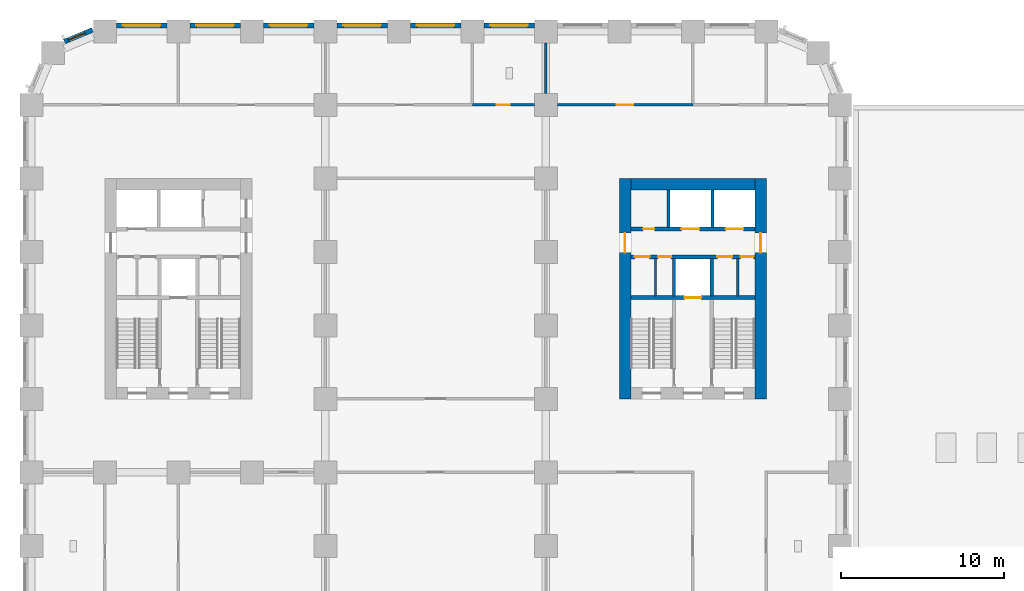
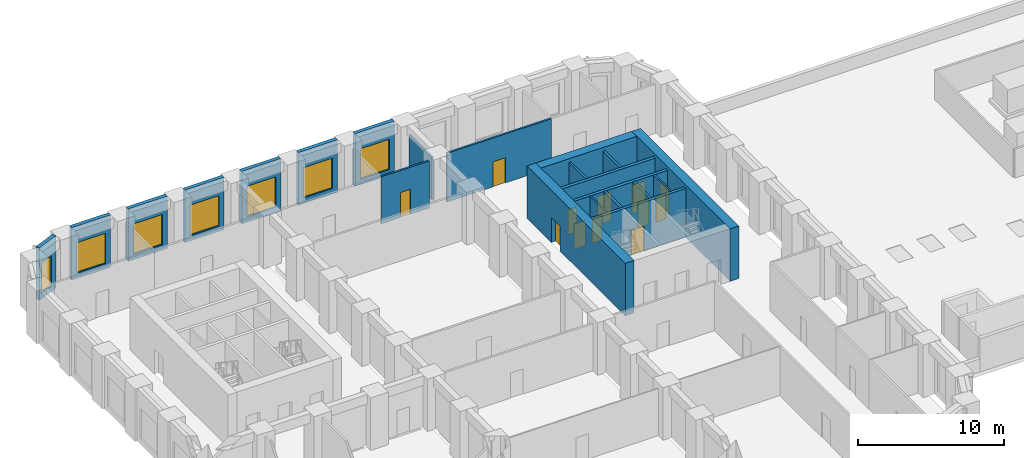
# One storey, part 7 of 14: 22 walls, 12 doors, 7 windows, 19 openings.
"""IFC4 building model written with IfcOpenShell, lengths in metres."""

from ifc_helpers import new_model, si_unit, direction, frame, frame_2d, origin, place, context, subcontext, project, spatial, rectangle, extrude, material, layer, layer_set, type_object, element, fill, save


model = new_model("IFC4")

# Units and contexts
model_context = context("Model", 3, precision=1e-05, world=origin(), true_north=direction((0.0, 1.0)))
body_context = subcontext(model_context, "Body", "Model", "MODEL_VIEW")
ifc_project = project(units=[si_unit("LENGTHUNIT", "METRE"), si_unit("AREAUNIT", "SQUARE_METRE"), si_unit("VOLUMEUNIT", "CUBIC_METRE"), si_unit("PLANEANGLEUNIT", "RADIAN"), si_unit("MASSUNIT", "GRAM", prefix="KILO")], contexts=[model_context])

# Site, building, storey
site_placement = place(None, origin())
site = spatial("IfcSite", under=ifc_project, at=site_placement, CompositionType="ELEMENT")
building_placement = place(site_placement, origin())
building = spatial("IfcBuilding", under=site, at=building_placement, Name="Girih Gate Residences", CompositionType="ELEMENT")
storey_placement = place(building_placement, frame((0.0, 0.0, 26.0)))
storey = spatial("IfcBuildingStorey", under=building, at=storey_placement, Name="L05", CompositionType="ELEMENT", Elevation=26.0)

# Wall, opening, door
ifc_material_1 = material(Name="Gypsum board on steel studs", Category="steel")
ifc_layer_1 = layer(ifc_material_1, 0.14990234375)
ifc_layer_set_1 = layer_set([ifc_layer_1], Name="Compartment wall 150 mm")
wall_type_1 = type_object("IfcWallType", Name="Compartment wall 150 mm", PredefinedType="PARTITIONING", material=ifc_layer_set_1)
wall_1_placement = place(storey_placement, frame((27.0, 45.0, 0.0), z_axis=(0.0, 0.0, 1.0), x_axis=(1.0, 0.0, 0.0)))
wall_1 = element("IfcWall", 1, at=wall_1_placement, inside=storey, type_object=wall_type_1, Name="L05 partition", PredefinedType="PARTITIONING", context=body_context, shape_type="SweptSolid", body=[
    extrude(rectangle(XDim=3.800048828125, YDim=0.14990234375, at=frame_2d((1.89990234375, 0.0))), origin(), (0.0, 0.0, 1.0), 3.949951171875),
])
opening_1_placement = place(wall_1_placement, frame((1.5, 0.0, 0.0)))
opening_1 = element("IfcOpeningElement", 2, at=opening_1_placement, cuts=wall_1, Name="Opening D-L05-S-004", PredefinedType="OPENING", context=body_context, shape_type="SweptSolid", body=[
    extrude(rectangle(XDim=0.800048828125, YDim=2.10009765625, at=frame_2d((0.39990234375, 1.050048828125))), frame((0.0, 0.0849609375, 0.0), z_axis=(0.0, -1.0, 0.0), x_axis=(1.0, 0.0, 0.0)), (0.0, 0.0, 1.0), 0.169921875),
])
ifc_material_2 = material(Name="Timber", Category="wood")
door_type_1 = type_object("IfcDoorType", Name="WC and store door 800x2100", OperationType="SINGLE_SWING_LEFT", PredefinedType="DOOR", material=ifc_material_2)
door_1_placement = place(opening_1_placement, origin())
door_1 = element("IfcDoor", 3, at=door_1_placement, inside=storey, type_object=door_type_1, Name="Door L05-004", OperationType="SINGLE_SWING_RIGHT", OverallHeight=2.10009765625, OverallWidth=0.800048828125, PredefinedType="DOOR", context=body_context, shape_type="SweptSolid", body=[
    extrude(rectangle(XDim=0.800048828125, YDim=2.10009765625, at=frame_2d((0.39990234375, 1.050048828125))), frame((0.0, 0.02490234375, 0.0), z_axis=(0.0, -1.0, 0.0), x_axis=(1.0, 0.0, 0.0)), (0.0, 0.0, 1.0), 0.050048828125),
])
fill(opening_1, door_1)

# Wall
wall_2_placement = place(storey_placement, frame((31.5, 45.699951171875, 0.0), z_axis=(0.0, 0.0, 1.0), x_axis=(0.0, 1.0, 0.0)))
element("IfcWall", 4, at=wall_2_placement, inside=storey, type_object=wall_type_1, Name="L05 partition", PredefinedType="PARTITIONING", context=body_context, shape_type="SweptSolid", body=[
    extrude(rectangle(XDim=3.10009765625, YDim=0.14990234375, at=frame_2d((1.550048828125, 0.0))), origin(), (0.0, 0.0, 1.0), 3.580078125),
])

# Wall, opening, door
wall_3_placement = place(storey_placement, frame((32.199951171875, 45.0, 0.0), z_axis=(0.0, 0.0, 1.0), x_axis=(1.0, 0.0, 0.0)))
wall_3 = element("IfcWall", 5, at=wall_3_placement, inside=storey, type_object=wall_type_1, Name="L05 partition", PredefinedType="PARTITIONING", context=body_context, shape_type="SweptSolid", body=[
    extrude(rectangle(XDim=8.300048828125, YDim=0.14990234375, at=frame_2d((4.14990234375, 0.0))), origin(), (0.0, 0.0, 1.0), 4.10009765625),
])
opening_2_placement = place(wall_3_placement, frame((3.64990234375, 0.0, 0.0)))
opening_2 = element("IfcOpeningElement", 6, at=opening_2_placement, cuts=wall_3, Name="Opening D-L05-S-009", PredefinedType="OPENING", context=body_context, shape_type="SweptSolid", body=[
    extrude(rectangle(XDim=1.0, YDim=2.10009765625, at=frame_2d((0.5, 1.050048828125))), frame((0.0, 0.0849609375, 0.0), z_axis=(0.0, -1.0, 0.0), x_axis=(1.0, 0.0, 0.0)), (0.0, 0.0, 1.0), 0.169921875),
])
ifc_material_3 = material(Name="Timber, fire-rated core", Category="wood")
door_type_2 = type_object("IfcDoorType", Name="Amenity door 1000x2100 FD30S", OperationType="SINGLE_SWING_LEFT", PredefinedType="DOOR", material=ifc_material_3)
door_2_placement = place(opening_2_placement, origin())
door_2 = element("IfcDoor", 7, at=door_2_placement, inside=storey, type_object=door_type_2, Name="Door L05-009", OperationType="SINGLE_SWING_RIGHT", OverallHeight=2.10009765625, OverallWidth=1.0, PredefinedType="DOOR", context=body_context, shape_type="SweptSolid", body=[
    extrude(rectangle(XDim=1.0, YDim=2.10009765625, at=frame_2d((0.5, 1.050048828125))), frame((0.0, 0.02490234375, 0.0), z_axis=(0.0, -1.0, 0.0), x_axis=(1.0, 0.0, 0.0)), (0.0, 0.0, 1.0), 0.050048828125),
])
fill(opening_2, door_2)

# Wall
ifc_material_4 = material(Name="Concrete C60/75", Category="concrete")
ifc_layer_2 = layer(ifc_material_4, 0.699951171875)
ifc_layer_set_2 = layer_set([ifc_layer_2], Name="Core wall RC 700 Concrete C60/75")
wall_type_2 = type_object("IfcWallType", Name="Core wall RC 700 Concrete C60/75", PredefinedType="SOLIDWALL", material=ifc_layer_set_2)
wall_4_placement = place(storey_placement, frame((36.699951171875, 40.14990234375, 0.0), z_axis=(0.0, 0.0, 1.0), x_axis=(1.0, 0.0, 0.0)))
element("IfcWall", 8, at=wall_4_placement, inside=storey, type_object=wall_type_2, Name="Core wall E-N L05", PredefinedType="SOLIDWALL", context=body_context, shape_type="SweptSolid", body=[
    extrude(rectangle(XDim=7.60009765625, YDim=0.699951171875, at=frame_2d((3.800048828125, 0.0))), origin(), (0.0, 0.0, 1.0), 4.39990234375),
])

# Wall, opening, door
wall_5_placement = place(storey_placement, frame((36.35009765625, 27.0, 0.0), z_axis=(0.0, 0.0, 1.0), x_axis=(0.0, 1.0, 0.0)))
wall_5 = element("IfcWall", 9, at=wall_5_placement, inside=storey, type_object=wall_type_2, Name="Core wall E-W L05", PredefinedType="SOLIDWALL", context=body_context, shape_type="SweptSolid", body=[
    extrude(rectangle(XDim=13.5, YDim=0.699951171875, at=frame_2d((6.75, 0.0))), origin(), (0.0, 0.0, 1.0), 4.39990234375),
])
opening_3_placement = place(wall_5_placement, frame((8.949951171875, 0.0, 0.0)))
opening_3 = element("IfcOpeningElement", 10, at=opening_3_placement, cuts=wall_5, Name="Opening D-L05-E-014", PredefinedType="OPENING", context=body_context, shape_type="SweptSolid", body=[
    extrude(rectangle(XDim=1.199951171875, YDim=2.10009765625, at=frame_2d((0.60009765625, 1.050048828125))), frame((0.0, 0.35986328125, 0.0), z_axis=(0.0, -1.0, 0.0), x_axis=(1.0, 0.0, 0.0)), (0.0, 0.0, 1.0), 0.719970703125),
])
ifc_material_5 = material(Name="Painted steel, fire-resisting", Category="steel")
door_type_3 = type_object("IfcDoorType", Name="Fire door 1200x2100", OperationType="SINGLE_SWING_LEFT", PredefinedType="DOOR", material=ifc_material_5)
door_3_placement = place(opening_3_placement, origin())
door_3 = element("IfcDoor", 11, at=door_3_placement, inside=storey, type_object=door_type_3, Name="L05 E core door ll-w", OperationType="SINGLE_SWING_LEFT", OverallHeight=2.10009765625, OverallWidth=1.199951171875, PredefinedType="DOOR", context=body_context, shape_type="SweptSolid", body=[
    extrude(rectangle(XDim=1.199951171875, YDim=2.10009765625, at=frame_2d((0.60009765625, 1.050048828125))), frame((0.0, 0.02490234375, 0.0), z_axis=(0.0, -1.0, 0.0), x_axis=(1.0, 0.0, 0.0)), (0.0, 0.0, 1.0), 0.050048828125),
])
fill(opening_3, door_3)

wall_6_placement = place(storey_placement, frame((44.64990234375, 27.0, 0.0), z_axis=(0.0, 0.0, 1.0), x_axis=(0.0, 1.0, 0.0)))
wall_6 = element("IfcWall", 12, at=wall_6_placement, inside=storey, type_object=wall_type_2, Name="Core wall E-E L05", PredefinedType="SOLIDWALL", context=body_context, shape_type="SweptSolid", body=[
    extrude(rectangle(XDim=13.5, YDim=0.699951171875, at=frame_2d((6.75, 0.0))), origin(), (0.0, 0.0, 1.0), 4.39990234375),
])
opening_4_placement = place(wall_6_placement, frame((8.949951171875, 0.0, 0.0)))
opening_4 = element("IfcOpeningElement", 13, at=opening_4_placement, cuts=wall_6, Name="Opening D-L05-E-015", PredefinedType="OPENING", context=body_context, shape_type="SweptSolid", body=[
    extrude(rectangle(XDim=1.199951171875, YDim=2.10009765625, at=frame_2d((0.60009765625, 1.050048828125))), frame((0.0, 0.35986328125, 0.0), z_axis=(0.0, -1.0, 0.0), x_axis=(1.0, 0.0, 0.0)), (0.0, 0.0, 1.0), 0.719970703125),
])
door_4_placement = place(opening_4_placement, origin())
door_4 = element("IfcDoor", 14, at=door_4_placement, inside=storey, type_object=door_type_3, Name="L05 E core door ll-e", OperationType="SINGLE_SWING_LEFT", OverallHeight=2.10009765625, OverallWidth=1.199951171875, PredefinedType="DOOR", context=body_context, shape_type="SweptSolid", body=[
    extrude(rectangle(XDim=1.199951171875, YDim=2.10009765625, at=frame_2d((0.60009765625, 1.050048828125))), frame((0.0, 0.02490234375, 0.0), z_axis=(0.0, -1.0, 0.0), x_axis=(1.0, 0.0, 0.0)), (0.0, 0.0, 1.0), 0.050048828125),
])
fill(opening_4, door_4)

ifc_material_6 = material(Name="Concrete C40/50", Category="concrete")
ifc_layer_3 = layer(ifc_material_6, 0.25)
ifc_layer_set_3 = layer_set([ifc_layer_3], Name="Lift shaft wall 250")
wall_type_3 = type_object("IfcWallType", Name="Lift shaft wall 250", PredefinedType="SOLIDWALL", material=ifc_layer_set_3)
wall_7_placement = place(storey_placement, frame((36.699951171875, 33.199951171875, 0.0), z_axis=(0.0, 0.0, 1.0), x_axis=(1.0, 0.0, 0.0)))
wall_7 = element("IfcWall", 15, at=wall_7_placement, inside=storey, type_object=wall_type_3, Name="L05 E core wall H1", PredefinedType="SOLIDWALL", context=body_context, shape_type="SweptSolid", body=[
    extrude(rectangle(XDim=7.60009765625, YDim=0.25, at=frame_2d((3.800048828125, 0.0))), origin(), (0.0, 0.0, 1.0), 4.10009765625),
])
opening_5_placement = place(wall_7_placement, frame((3.300048828125, 0.0, 0.0)))
opening_5 = element("IfcOpeningElement", 16, at=opening_5_placement, cuts=wall_7, Name="Opening D-L05-E-005", PredefinedType="OPENING", context=body_context, shape_type="SweptSolid", body=[
    extrude(rectangle(XDim=1.0, YDim=2.10009765625, at=frame_2d((0.5, 1.050048828125))), frame((0.0, 0.135009765625, 0.0), z_axis=(0.0, -1.0, 0.0), x_axis=(1.0, 0.0, 0.0)), (0.0, 0.0, 1.0), 0.27001953125),
])
ifc_material_7 = material(Name="Stainless steel, fire-resisting", Category="steel")
door_type_4 = type_object("IfcDoorType", Name="Firefighting lift landing door 1000x2100", OperationType="SLIDING_TO_LEFT", PredefinedType="DOOR", material=ifc_material_7)
door_5_placement = place(opening_5_placement, origin())
door_5 = element("IfcDoor", 17, at=door_5_placement, inside=storey, type_object=door_type_4, Name="L05 lift FF-E landing door", OperationType="SLIDING_TO_LEFT", OverallHeight=2.10009765625, OverallWidth=1.0, PredefinedType="DOOR", context=body_context, shape_type="SweptSolid", body=[
    extrude(rectangle(XDim=1.0, YDim=2.10009765625, at=frame_2d((0.5, 1.050048828125))), frame((0.0, 0.02490234375, 0.0), z_axis=(0.0, -1.0, 0.0), x_axis=(1.0, 0.0, 0.0)), (0.0, 0.0, 1.0), 0.050048828125),
])
fill(opening_5, door_5)

# Wall, openings, doors
wall_8_placement = place(storey_placement, frame((36.699951171875, 35.699951171875, 0.0), z_axis=(0.0, 0.0, 1.0), x_axis=(1.0, 0.0, 0.0)))
wall_8 = element("IfcWall", 18, at=wall_8_placement, inside=storey, type_object=wall_type_3, Name="L05 E core wall H2", PredefinedType="SOLIDWALL", context=body_context, shape_type="SweptSolid", body=[
    extrude(rectangle(XDim=7.60009765625, YDim=0.25, at=frame_2d((3.800048828125, 0.0))), origin(), (0.0, 0.0, 1.0), 4.10009765625),
])
opening_6_placement = place(wall_8_placement, frame((6.72509765625, 0.0, 0.0)))
opening_6 = element("IfcOpeningElement", 19, at=opening_6_placement, cuts=wall_8, Name="Opening D-L05-E-007", PredefinedType="OPENING", context=body_context, shape_type="SweptSolid", body=[
    extrude(rectangle(XDim=0.800048828125, YDim=2.10009765625, at=frame_2d((0.39990234375, 1.050048828125))), frame((0.0, 0.135009765625, 0.0), z_axis=(0.0, -1.0, 0.0), x_axis=(1.0, 0.0, 0.0)), (0.0, 0.0, 1.0), 0.27001953125),
])
opening_7_placement = place(wall_8_placement, frame((5.300048828125, 0.0, 0.0)))
opening_7 = element("IfcOpeningElement", 20, at=opening_7_placement, cuts=wall_8, Name="Opening D-L05-E-008", PredefinedType="OPENING", context=body_context, shape_type="SweptSolid", body=[
    extrude(rectangle(XDim=0.89990234375, YDim=2.10009765625, at=frame_2d((0.449951171875, 1.050048828125))), frame((0.0, 0.135009765625, 0.0), z_axis=(0.0, -1.0, 0.0), x_axis=(1.0, 0.0, 0.0)), (0.0, 0.0, 1.0), 0.27001953125),
])
opening_8_placement = place(wall_8_placement, frame((1.675048828125, 0.0, 0.0)))
opening_8 = element("IfcOpeningElement", 21, at=opening_8_placement, cuts=wall_8, Name="Opening D-L05-E-009", PredefinedType="OPENING", context=body_context, shape_type="SweptSolid", body=[
    extrude(rectangle(XDim=0.800048828125, YDim=2.10009765625, at=frame_2d((0.39990234375, 1.050048828125))), frame((0.0, 0.135009765625, 0.0), z_axis=(0.0, -1.0, 0.0), x_axis=(1.0, 0.0, 0.0)), (0.0, 0.0, 1.0), 0.27001953125),
])
opening_9_placement = place(wall_8_placement, frame((0.25, 0.0, 0.0)))
opening_9 = element("IfcOpeningElement", 22, at=opening_9_placement, cuts=wall_8, Name="Opening D-L05-E-010", PredefinedType="OPENING", context=body_context, shape_type="SweptSolid", body=[
    extrude(rectangle(XDim=0.89990234375, YDim=2.10009765625, at=frame_2d((0.449951171875, 1.050048828125))), frame((0.0, 0.135009765625, 0.0), z_axis=(0.0, -1.0, 0.0), x_axis=(1.0, 0.0, 0.0)), (0.0, 0.0, 1.0), 0.27001953125),
])
door_type_5 = type_object("IfcDoorType", Name="Fire door 800x2100", OperationType="SINGLE_SWING_LEFT", PredefinedType="DOOR", material=ifc_material_5)
door_6_placement = place(opening_6_placement, origin())
door_6 = element("IfcDoor", 23, at=door_6_placement, inside=storey, type_object=door_type_5, Name="L05 E electrical room door", OperationType="SINGLE_SWING_LEFT", OverallHeight=2.10009765625, OverallWidth=0.800048828125, PredefinedType="DOOR", context=body_context, shape_type="SweptSolid", body=[
    extrude(rectangle(XDim=0.800048828125, YDim=2.10009765625, at=frame_2d((0.39990234375, 1.050048828125))), frame((0.0, 0.02490234375, 0.0), z_axis=(0.0, -1.0, 0.0), x_axis=(1.0, 0.0, 0.0)), (0.0, 0.0, 1.0), 0.050048828125),
])
fill(opening_6, door_6)
door_7_placement = place(opening_8_placement, origin())
door_7 = element("IfcDoor", 24, at=door_7_placement, inside=storey, type_object=door_type_5, Name="L05 E store door", OperationType="SINGLE_SWING_LEFT", OverallHeight=2.10009765625, OverallWidth=0.800048828125, PredefinedType="DOOR", context=body_context, shape_type="SweptSolid", body=[
    extrude(rectangle(XDim=0.800048828125, YDim=2.10009765625, at=frame_2d((0.39990234375, 1.050048828125))), frame((0.0, 0.02490234375, 0.0), z_axis=(0.0, -1.0, 0.0), x_axis=(1.0, 0.0, 0.0)), (0.0, 0.0, 1.0), 0.050048828125),
])
fill(opening_8, door_7)
door_type_6 = type_object("IfcDoorType", Name="Fire door 900x2100", OperationType="SINGLE_SWING_LEFT", PredefinedType="DOOR", material=ifc_material_5)
door_8_placement = place(opening_7_placement, origin())
door_8 = element("IfcDoor", 25, at=door_8_placement, inside=storey, type_object=door_type_6, Name="L05 E pantry door", OperationType="SINGLE_SWING_LEFT", OverallHeight=2.10009765625, OverallWidth=0.89990234375, PredefinedType="DOOR", context=body_context, shape_type="SweptSolid", body=[
    extrude(rectangle(XDim=0.89990234375, YDim=2.10009765625, at=frame_2d((0.449951171875, 1.050048828125))), frame((0.0, 0.02490234375, 0.0), z_axis=(0.0, -1.0, 0.0), x_axis=(1.0, 0.0, 0.0)), (0.0, 0.0, 1.0), 0.050048828125),
])
fill(opening_7, door_8)
door_9_placement = place(opening_9_placement, origin())
door_9 = element("IfcDoor", 26, at=door_9_placement, inside=storey, type_object=door_type_6, Name="L05 E comms room door", OperationType="SINGLE_SWING_LEFT", OverallHeight=2.10009765625, OverallWidth=0.89990234375, PredefinedType="DOOR", context=body_context, shape_type="SweptSolid", body=[
    extrude(rectangle(XDim=0.89990234375, YDim=2.10009765625, at=frame_2d((0.449951171875, 1.050048828125))), frame((0.0, 0.02490234375, 0.0), z_axis=(0.0, -1.0, 0.0), x_axis=(1.0, 0.0, 0.0)), (0.0, 0.0, 1.0), 0.050048828125),
])
fill(opening_9, door_9)

wall_9_placement = place(storey_placement, frame((36.699951171875, 37.39990234375, 0.0), z_axis=(0.0, 0.0, 1.0), x_axis=(1.0, 0.0, 0.0)))
wall_9 = element("IfcWall", 27, at=wall_9_placement, inside=storey, type_object=wall_type_3, Name="L05 E core wall H3", PredefinedType="SOLIDWALL", context=body_context, shape_type="SweptSolid", body=[
    extrude(rectangle(XDim=7.60009765625, YDim=0.25, at=frame_2d((3.800048828125, 0.0))), origin(), (0.0, 0.0, 1.0), 4.10009765625),
])
opening_10_placement = place(wall_9_placement, frame((5.800048828125, 0.0, 0.0)))
opening_10 = element("IfcOpeningElement", 28, at=opening_10_placement, cuts=wall_9, Name="Opening D-L05-E-003", PredefinedType="OPENING", context=body_context, shape_type="SweptSolid", body=[
    extrude(rectangle(XDim=1.10009765625, YDim=2.39990234375, at=frame_2d((0.550048828125, 1.199951171875))), frame((0.0, 0.135009765625, 0.0), z_axis=(0.0, -1.0, 0.0), x_axis=(1.0, 0.0, 0.0)), (0.0, 0.0, 1.0), 0.27001953125),
])
opening_11_placement = place(wall_9_placement, frame((3.10009765625, 0.0, 0.0)))
opening_11 = element("IfcOpeningElement", 29, at=opening_11_placement, cuts=wall_9, Name="Opening D-L05-E-004", PredefinedType="OPENING", context=body_context, shape_type="SweptSolid", body=[
    extrude(rectangle(XDim=1.10009765625, YDim=2.39990234375, at=frame_2d((0.550048828125, 1.199951171875))), frame((0.0, 0.135009765625, 0.0), z_axis=(0.0, -1.0, 0.0), x_axis=(1.0, 0.0, 0.0)), (0.0, 0.0, 1.0), 0.27001953125),
])
opening_12_placement = place(wall_9_placement, frame((0.75, 0.0, 0.0)))
opening_12 = element("IfcOpeningElement", 30, at=opening_12_placement, cuts=wall_9, Name="Opening D-L05-E-006", PredefinedType="OPENING", context=body_context, shape_type="SweptSolid", body=[
    extrude(rectangle(XDim=0.699951171875, YDim=2.10009765625, at=frame_2d((0.35009765625, 1.050048828125))), frame((0.0, 0.135009765625, 0.0), z_axis=(0.0, -1.0, 0.0), x_axis=(1.0, 0.0, 0.0)), (0.0, 0.0, 1.0), 0.27001953125),
])
ifc_material_8 = material(Name="Stainless steel", Category="steel")
door_type_7 = type_object("IfcDoorType", Name="Lift landing door 1100x2400", OperationType="SLIDING_TO_LEFT", PredefinedType="DOOR", material=ifc_material_8)
door_10_placement = place(opening_10_placement, origin())
door_10 = element("IfcDoor", 31, at=door_10_placement, inside=storey, type_object=door_type_7, Name="L05 lift LR-E1 landing door", OperationType="SLIDING_TO_LEFT", OverallHeight=2.39990234375, OverallWidth=1.10009765625, PredefinedType="DOOR", context=body_context, shape_type="SweptSolid", body=[
    extrude(rectangle(XDim=1.10009765625, YDim=2.39990234375, at=frame_2d((0.550048828125, 1.199951171875))), frame((0.0, 0.02490234375, 0.0), z_axis=(0.0, -1.0, 0.0), x_axis=(1.0, 0.0, 0.0)), (0.0, 0.0, 1.0), 0.050048828125),
])
fill(opening_10, door_10)
door_11_placement = place(opening_11_placement, origin())
door_11 = element("IfcDoor", 32, at=door_11_placement, inside=storey, type_object=door_type_7, Name="L05 lift LR-E2 landing door", OperationType="SLIDING_TO_LEFT", OverallHeight=2.39990234375, OverallWidth=1.10009765625, PredefinedType="DOOR", context=body_context, shape_type="SweptSolid", body=[
    extrude(rectangle(XDim=1.10009765625, YDim=2.39990234375, at=frame_2d((0.550048828125, 1.199951171875))), frame((0.0, 0.02490234375, 0.0), z_axis=(0.0, -1.0, 0.0), x_axis=(1.0, 0.0, 0.0)), (0.0, 0.0, 1.0), 0.050048828125),
])
fill(opening_11, door_11)
door_type_8 = type_object("IfcDoorType", Name="Riser access door 700x2100", OperationType="SINGLE_SWING_LEFT", PredefinedType="DOOR", material=ifc_material_5)
door_12_placement = place(opening_12_placement, origin())
door_12 = element("IfcDoor", 33, at=door_12_placement, inside=storey, type_object=door_type_8, Name="L05 E riser room door", OperationType="SINGLE_SWING_LEFT", OverallHeight=2.10009765625, OverallWidth=0.699951171875, PredefinedType="DOOR", context=body_context, shape_type="SweptSolid", body=[
    extrude(rectangle(XDim=0.699951171875, YDim=2.10009765625, at=frame_2d((0.35009765625, 1.050048828125))), frame((0.0, 0.02490234375, 0.0), z_axis=(0.0, -1.0, 0.0), x_axis=(1.0, 0.0, 0.0)), (0.0, 0.0, 1.0), 0.050048828125),
])
fill(opening_12, door_12)

# Wall, opening, window
ifc_material_9 = material(Name="Precast concrete C50/60", Category="concrete")
ifc_layer_4 = layer(ifc_material_9, 0.080078125, Name="Outer leaf")
ifc_material_10 = material(Name="Rigid PIR insulation")
ifc_layer_5 = layer(ifc_material_10, 0.14990234375, Name="Insulation")
ifc_material_11 = material(Name="Precast concrete C40/50", Category="concrete")
ifc_layer_6 = layer(ifc_material_11, 0.070068359375, Name="Inner leaf")
ifc_layer_set_4 = layer_set([ifc_layer_4, ifc_layer_5, ifc_layer_6], Name="Precast concrete C50/60 external wall 300")
wall_type_4 = type_object("IfcWallType", Name="Precast concrete C50/60 external wall 300", PredefinedType="SOLIDWALL", material=ifc_layer_set_4)
wall_10_placement = place(storey_placement, frame((27.699951171875, 49.875, 0.0), z_axis=(0.0, 0.0, 1.0), x_axis=(1.0, 0.0, 0.0)))
wall_10 = element("IfcWall", 34, at=wall_10_placement, inside=storey, type_object=wall_type_4, Name="External wall N0450_0495.3", PredefinedType="SOLIDWALL", context=body_context, shape_type="SweptSolid", body=[
    extrude(rectangle(XDim=3.10009765625, YDim=0.300048828125, at=frame_2d((1.550048828125, 0.0))), origin(), (0.0, 0.0, 1.0), 4.39990234375),
])
opening_13_placement = place(wall_10_placement, frame((0.39990234375, 0.0, 0.449951171875)))
opening_13 = element("IfcOpeningElement", 35, at=opening_13_placement, cuts=wall_10, Name="Opening W-6", PredefinedType="OPENING", context=body_context, shape_type="SweptSolid", body=[
    extrude(rectangle(XDim=2.300048828125, YDim=2.550048828125, at=frame_2d((1.14990234375, 1.27490234375))), frame((0.0, 0.159912109375, 0.0), z_axis=(0.0, -1.0, 0.0), x_axis=(1.0, 0.0, 0.0)), (0.0, 0.0, 1.0), 0.320068359375),
])
ifc_material_12 = material(Name="Double glazing in aluminium frame", Category="aluminium")
window_type_1 = type_object("IfcWindowType", Name="Window W-6 2300x2550", PartitioningType="SINGLE_PANEL", PredefinedType="WINDOW", material=ifc_material_12)
window_1_placement = place(opening_13_placement, origin())
window_1 = element("IfcWindow", 36, at=window_1_placement, inside=storey, type_object=window_type_1, Name="Window W-6 N0450_0495.3", OverallHeight=2.550048828125, OverallWidth=2.300048828125, PartitioningType="SINGLE_PANEL", PredefinedType="WINDOW", context=body_context, shape_type="SweptSolid", body=[
    extrude(rectangle(XDim=2.300048828125, YDim=2.550048828125, at=frame_2d((1.14990234375, 1.27490234375))), frame((0.0, 0.030029296875, 0.0), z_axis=(0.0, -1.0, 0.0), x_axis=(1.0, 0.0, 0.0)), (0.0, 0.0, 1.0), 0.06005859375),
])
fill(opening_13, window_1)

wall_11_placement = place(storey_placement, frame((23.199951171875, 49.875, 0.0), z_axis=(0.0, 0.0, 1.0), x_axis=(1.0, 0.0, 0.0)))
wall_11 = element("IfcWall", 37, at=wall_11_placement, inside=storey, type_object=wall_type_4, Name="External wall N0450_0495.4", PredefinedType="SOLIDWALL", context=body_context, shape_type="SweptSolid", body=[
    extrude(rectangle(XDim=3.10009765625, YDim=0.300048828125, at=frame_2d((1.550048828125, 0.0))), origin(), (0.0, 0.0, 1.0), 4.39990234375),
])
opening_14_placement = place(wall_11_placement, frame((0.39990234375, 0.0, 0.449951171875)))
opening_14 = element("IfcOpeningElement", 38, at=opening_14_placement, cuts=wall_11, Name="Opening W-6", PredefinedType="OPENING", context=body_context, shape_type="SweptSolid", body=[
    extrude(rectangle(XDim=2.300048828125, YDim=2.550048828125, at=frame_2d((1.14990234375, 1.27490234375))), frame((0.0, 0.159912109375, 0.0), z_axis=(0.0, -1.0, 0.0), x_axis=(1.0, 0.0, 0.0)), (0.0, 0.0, 1.0), 0.320068359375),
])
window_2_placement = place(opening_14_placement, origin())
window_2 = element("IfcWindow", 39, at=window_2_placement, inside=storey, type_object=window_type_1, Name="Window W-6 N0450_0495.4", OverallHeight=2.550048828125, OverallWidth=2.300048828125, PartitioningType="SINGLE_PANEL", PredefinedType="WINDOW", context=body_context, shape_type="SweptSolid", body=[
    extrude(rectangle(XDim=2.300048828125, YDim=2.550048828125, at=frame_2d((1.14990234375, 1.27490234375))), frame((0.0, 0.030029296875, 0.0), z_axis=(0.0, -1.0, 0.0), x_axis=(1.0, 0.0, 0.0)), (0.0, 0.0, 1.0), 0.06005859375),
])
fill(opening_14, window_2)

wall_12_placement = place(storey_placement, frame((18.699951171875, 49.875, 0.0), z_axis=(0.0, 0.0, 1.0), x_axis=(1.0, 0.0, 0.0)))
wall_12 = element("IfcWall", 40, at=wall_12_placement, inside=storey, type_object=wall_type_4, Name="External wall N0450_0495.5", PredefinedType="SOLIDWALL", context=body_context, shape_type="SweptSolid", body=[
    extrude(rectangle(XDim=3.10009765625, YDim=0.300048828125, at=frame_2d((1.550048828125, 0.0))), origin(), (0.0, 0.0, 1.0), 4.39990234375),
])
opening_15_placement = place(wall_12_placement, frame((0.39990234375, 0.0, 0.449951171875)))
opening_15 = element("IfcOpeningElement", 41, at=opening_15_placement, cuts=wall_12, Name="Opening W-6", PredefinedType="OPENING", context=body_context, shape_type="SweptSolid", body=[
    extrude(rectangle(XDim=2.300048828125, YDim=2.550048828125, at=frame_2d((1.14990234375, 1.27490234375))), frame((0.0, 0.159912109375, 0.0), z_axis=(0.0, -1.0, 0.0), x_axis=(1.0, 0.0, 0.0)), (0.0, 0.0, 1.0), 0.320068359375),
])
window_3_placement = place(opening_15_placement, origin())
window_3 = element("IfcWindow", 42, at=window_3_placement, inside=storey, type_object=window_type_1, Name="Window W-6 N0450_0495.5", OverallHeight=2.550048828125, OverallWidth=2.300048828125, PartitioningType="SINGLE_PANEL", PredefinedType="WINDOW", context=body_context, shape_type="SweptSolid", body=[
    extrude(rectangle(XDim=2.300048828125, YDim=2.550048828125, at=frame_2d((1.14990234375, 1.27490234375))), frame((0.0, 0.030029296875, 0.0), z_axis=(0.0, -1.0, 0.0), x_axis=(1.0, 0.0, 0.0)), (0.0, 0.0, 1.0), 0.06005859375),
])
fill(opening_15, window_3)

wall_13_placement = place(storey_placement, frame((14.199951171875, 49.875, 0.0), z_axis=(0.0, 0.0, 1.0), x_axis=(1.0, 0.0, 0.0)))
wall_13 = element("IfcWall", 43, at=wall_13_placement, inside=storey, type_object=wall_type_4, Name="External wall N0450_0495.6", PredefinedType="SOLIDWALL", context=body_context, shape_type="SweptSolid", body=[
    extrude(rectangle(XDim=3.10009765625, YDim=0.300048828125, at=frame_2d((1.550048828125, 0.0))), origin(), (0.0, 0.0, 1.0), 4.39990234375),
])
opening_16_placement = place(wall_13_placement, frame((0.39990234375, 0.0, 0.449951171875)))
opening_16 = element("IfcOpeningElement", 44, at=opening_16_placement, cuts=wall_13, Name="Opening W-6", PredefinedType="OPENING", context=body_context, shape_type="SweptSolid", body=[
    extrude(rectangle(XDim=2.300048828125, YDim=2.550048828125, at=frame_2d((1.14990234375, 1.27490234375))), frame((0.0, 0.159912109375, 0.0), z_axis=(0.0, -1.0, 0.0), x_axis=(1.0, 0.0, 0.0)), (0.0, 0.0, 1.0), 0.320068359375),
])
window_4_placement = place(opening_16_placement, origin())
window_4 = element("IfcWindow", 45, at=window_4_placement, inside=storey, type_object=window_type_1, Name="Window W-6 N0450_0495.6", OverallHeight=2.550048828125, OverallWidth=2.300048828125, PartitioningType="SINGLE_PANEL", PredefinedType="WINDOW", context=body_context, shape_type="SweptSolid", body=[
    extrude(rectangle(XDim=2.300048828125, YDim=2.550048828125, at=frame_2d((1.14990234375, 1.27490234375))), frame((0.0, 0.030029296875, 0.0), z_axis=(0.0, -1.0, 0.0), x_axis=(1.0, 0.0, 0.0)), (0.0, 0.0, 1.0), 0.06005859375),
])
fill(opening_16, window_4)

wall_14_placement = place(storey_placement, frame((9.699951171875, 49.875, 0.0), z_axis=(0.0, 0.0, 1.0), x_axis=(1.0, 0.0, 0.0)))
wall_14 = element("IfcWall", 46, at=wall_14_placement, inside=storey, type_object=wall_type_4, Name="External wall N0450_0495.7", PredefinedType="SOLIDWALL", context=body_context, shape_type="SweptSolid", body=[
    extrude(rectangle(XDim=3.10009765625, YDim=0.300048828125, at=frame_2d((1.550048828125, 0.0))), origin(), (0.0, 0.0, 1.0), 4.39990234375),
])
opening_17_placement = place(wall_14_placement, frame((0.39990234375, 0.0, 0.449951171875)))
opening_17 = element("IfcOpeningElement", 47, at=opening_17_placement, cuts=wall_14, Name="Opening W-6", PredefinedType="OPENING", context=body_context, shape_type="SweptSolid", body=[
    extrude(rectangle(XDim=2.300048828125, YDim=2.550048828125, at=frame_2d((1.14990234375, 1.27490234375))), frame((0.0, 0.159912109375, 0.0), z_axis=(0.0, -1.0, 0.0), x_axis=(1.0, 0.0, 0.0)), (0.0, 0.0, 1.0), 0.320068359375),
])
window_5_placement = place(opening_17_placement, origin())
window_5 = element("IfcWindow", 48, at=window_5_placement, inside=storey, type_object=window_type_1, Name="Window W-6 N0450_0495.7", OverallHeight=2.550048828125, OverallWidth=2.300048828125, PartitioningType="SINGLE_PANEL", PredefinedType="WINDOW", context=body_context, shape_type="SweptSolid", body=[
    extrude(rectangle(XDim=2.300048828125, YDim=2.550048828125, at=frame_2d((1.14990234375, 1.27490234375))), frame((0.0, 0.030029296875, 0.0), z_axis=(0.0, -1.0, 0.0), x_axis=(1.0, 0.0, 0.0)), (0.0, 0.0, 1.0), 0.06005859375),
])
fill(opening_17, window_5)

wall_15_placement = place(storey_placement, frame((5.199951171875, 49.875, 0.0), z_axis=(0.0, 0.0, 1.0), x_axis=(1.0, 0.0, 0.0)))
wall_15 = element("IfcWall", 49, at=wall_15_placement, inside=storey, type_object=wall_type_4, Name="External wall N0450_0495.8", PredefinedType="SOLIDWALL", context=body_context, shape_type="SweptSolid", body=[
    extrude(rectangle(XDim=3.10009765625, YDim=0.300048828125, at=frame_2d((1.550048828125, 0.0))), origin(), (0.0, 0.0, 1.0), 4.39990234375),
])
opening_18_placement = place(wall_15_placement, frame((0.39990234375, 0.0, 0.449951171875)))
opening_18 = element("IfcOpeningElement", 50, at=opening_18_placement, cuts=wall_15, Name="Opening W-6", PredefinedType="OPENING", context=body_context, shape_type="SweptSolid", body=[
    extrude(rectangle(XDim=2.300048828125, YDim=2.550048828125, at=frame_2d((1.14990234375, 1.27490234375))), frame((0.0, 0.159912109375, 0.0), z_axis=(0.0, -1.0, 0.0), x_axis=(1.0, 0.0, 0.0)), (0.0, 0.0, 1.0), 0.320068359375),
])
window_6_placement = place(opening_18_placement, origin())
window_6 = element("IfcWindow", 51, at=window_6_placement, inside=storey, type_object=window_type_1, Name="Window W-6 N0450_0495.8", OverallHeight=2.550048828125, OverallWidth=2.300048828125, PartitioningType="SINGLE_PANEL", PredefinedType="WINDOW", context=body_context, shape_type="SweptSolid", body=[
    extrude(rectangle(XDim=2.300048828125, YDim=2.550048828125, at=frame_2d((1.14990234375, 1.27490234375))), frame((0.0, 0.030029296875, 0.0), z_axis=(0.0, -1.0, 0.0), x_axis=(1.0, 0.0, 0.0)), (0.0, 0.0, 1.0), 0.06005859375),
])
fill(opening_18, window_6)

wall_16_placement = place(storey_placement, frame((2.01953125, 48.87841796875, 0.0), z_axis=(0.0, 0.0, 1.0), x_axis=(0.923903565336, 0.38262540684, 0.0)))
wall_16 = element("IfcWall", 52, at=wall_16_placement, inside=storey, type_object=wall_type_4, Name="External wall NW0045_0495.0", PredefinedType="SOLIDWALL", context=body_context, shape_type="SweptSolid", body=[
    extrude(rectangle(XDim=1.864990234375, YDim=0.300048828125, at=frame_2d((0.9326171875, 0.0))), origin(), (0.0, 0.0, 1.0), 4.39990234375),
])
opening_19_placement = place(wall_16_placement, frame((0.257568359375, 0.0, 0.449951171875)))
opening_19 = element("IfcOpeningElement", 53, at=opening_19_placement, cuts=wall_16, Name="Opening W-2B", PredefinedType="OPENING", context=body_context, shape_type="SweptSolid", body=[
    extrude(rectangle(XDim=1.10009765625, YDim=2.550048828125, at=frame_2d((0.550048828125, 1.27490234375))), frame((0.0, 0.159912109375, 0.0), z_axis=(0.0, -1.0, 0.0), x_axis=(1.0, 0.0, 0.0)), (0.0, 0.0, 1.0), 0.320068359375),
])
window_type_2 = type_object("IfcWindowType", Name="Window W-2B 1100x2550", PartitioningType="SINGLE_PANEL", PredefinedType="WINDOW", material=ifc_material_12)
window_7_placement = place(opening_19_placement, origin())
window_7 = element("IfcWindow", 54, at=window_7_placement, inside=storey, type_object=window_type_2, Name="Window W-2B NW0045_0495.0", OverallHeight=2.550048828125, OverallWidth=1.10009765625, PartitioningType="SINGLE_PANEL", PredefinedType="WINDOW", context=body_context, shape_type="SweptSolid", body=[
    extrude(rectangle(XDim=1.10009765625, YDim=2.550048828125, at=frame_2d((0.550048828125, 1.27490234375))), frame((0.0, 0.030029296875, 0.0), z_axis=(0.0, -1.0, 0.0), x_axis=(1.0, 0.0, 0.0)), (0.0, 0.0, 1.0), 0.06005859375),
])
fill(opening_19, window_7)

# Walls
ifc_layer_7 = layer(ifc_material_6, 0.175048828125)
ifc_layer_set_5 = layer_set([ifc_layer_7], Name="Riser shaft wall 175")
wall_type_5 = type_object("IfcWallType", Name="Riser shaft wall 175", PredefinedType="SOLIDWALL", material=ifc_layer_set_5)
for number, where, z_axis, x_axis, name in (
    (55, (41.699951171875, 37.5, 0.0), (0.0, 0.0, 1.0), (0.0, 1.0, 0.0), "L05 E core wall V1c"),
    (56, (39.0, 37.5, 0.0), (0.0, 0.0, 1.0), (0.0, 1.0, 0.0), "L05 E core wall V2c"),
):
    element("IfcWall", number, at=place(storey_placement, frame(where, z_axis=z_axis, x_axis=x_axis)), inside=storey, type_object=wall_type_5, Name=name, PredefinedType="SOLIDWALL", context=body_context, shape_type="SweptSolid", body=[
        extrude(rectangle(XDim=2.300048828125, YDim=0.175048828125, at=frame_2d((1.14990234375, 0.0))), origin(), (0.0, 0.0, 1.0), 4.10009765625),
    ])
ifc_layer_8 = layer(ifc_material_6, 0.199951171875)
ifc_layer_set_6 = layer_set([ifc_layer_8], Name="Shaft wall 200")
wall_type_6 = type_object("IfcWallType", Name="Shaft wall 200", PredefinedType="SOLIDWALL", material=ifc_layer_set_6)
for number, where, z_axis, x_axis, name in (
    (57, (41.64990234375, 33.300048828125, 0.0), (0.0, 0.0, 1.0), (0.0, 1.0, 0.0), "L05 E core wall V1b"),
    (58, (39.35009765625, 33.300048828125, 0.0), (0.0, 0.0, 1.0), (0.0, 1.0, 0.0), "L05 E core wall V2b"),
):
    element("IfcWall", number, at=place(storey_placement, frame(where, z_axis=z_axis, x_axis=x_axis)), inside=storey, type_object=wall_type_6, Name=name, PredefinedType="SOLIDWALL", context=body_context, shape_type="SweptSolid", body=[
        extrude(rectangle(XDim=2.300048828125, YDim=0.199951171875, at=frame_2d((1.14990234375, 0.0))), origin(), (0.0, 0.0, 1.0), 4.10009765625),
    ])
ifc_material_13 = material(Name="Calcium silicate blockwork", Category="masonry")
ifc_layer_9 = layer(ifc_material_13, 0.125)
ifc_layer_set_7 = layer_set([ifc_layer_9], Name="Store partition 125")
wall_type_7 = type_object("IfcWallType", Name="Store partition 125", PredefinedType="PARTITIONING", material=ifc_layer_set_7)
for number, where, z_axis, x_axis, name in (
    (59, (43.25, 33.300048828125, 0.0), (0.0, 0.0, 1.0), (0.0, 1.0, 0.0), "L05 E core wall SHR1"),
    (60, (38.199951171875, 33.300048828125, 0.0), (0.0, 0.0, 1.0), (0.0, 1.0, 0.0), "L05 E core wall SHR2"),
):
    element("IfcWall", number, at=place(storey_placement, frame(where, z_axis=z_axis, x_axis=x_axis)), inside=storey, type_object=wall_type_7, Name=name, PredefinedType="PARTITIONING", context=body_context, shape_type="SweptSolid", body=[
        extrude(rectangle(XDim=2.300048828125, YDim=0.125, at=frame_2d((1.14990234375, 0.0))), origin(), (0.0, 0.0, 1.0), 4.10009765625),
    ])

save(model, "model.ifc")
